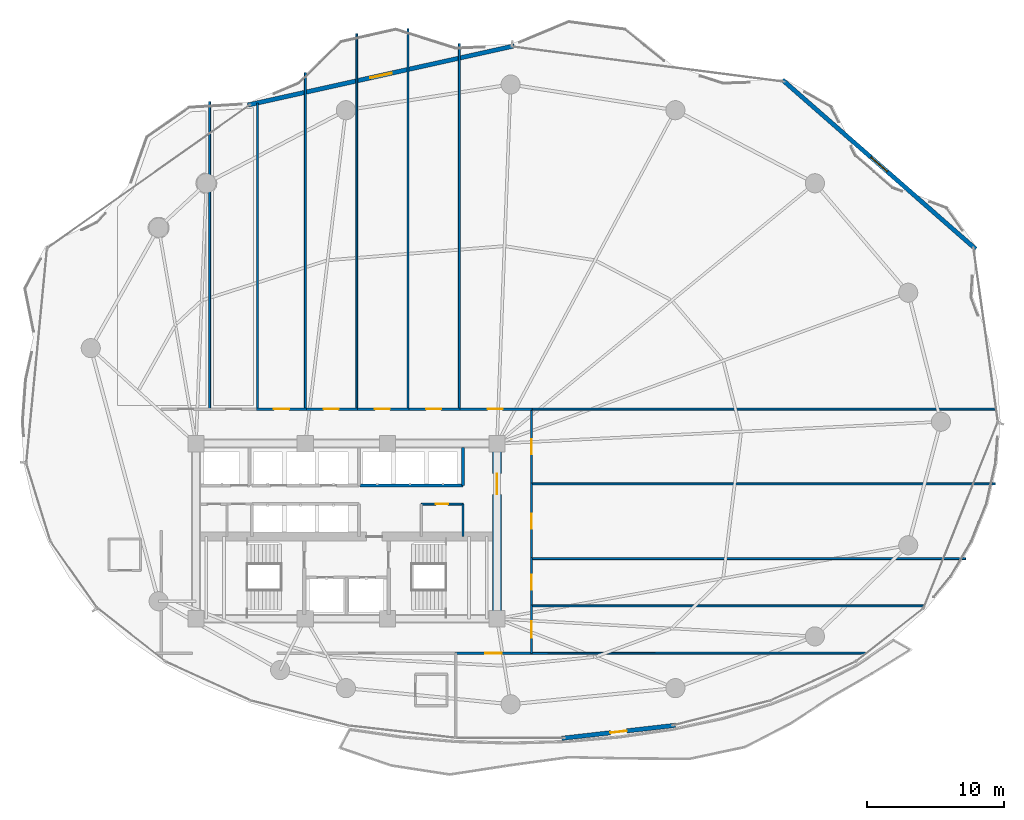
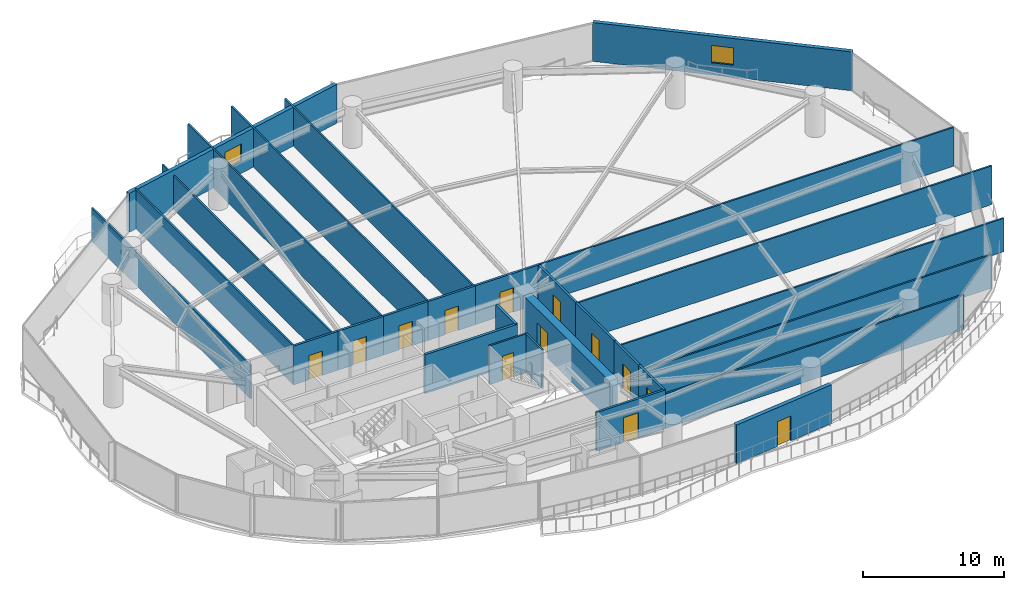
# One storey, part 26 of 31: 29 walls, 13 doors, 2 windows, 15 openings.
"""IFC4 building model written with IfcOpenShell, lengths in metres."""

from ifc_helpers import new_model, si_unit, direction, frame, frame_2d, origin, place, context, subcontext, project, spatial, rectangle, extrude, material, layer, layer_set, type_object, element, fill, save


model = new_model("IFC4")

# Units and contexts
model_context = context("Model", 3, precision=1e-05, world=origin(), true_north=direction((0.0, 1.0)))
body_context = subcontext(model_context, "Body", "Model", "MODEL_VIEW")
ifc_project = project(units=[si_unit("LENGTHUNIT", "METRE"), si_unit("AREAUNIT", "SQUARE_METRE"), si_unit("VOLUMEUNIT", "CUBIC_METRE"), si_unit("PLANEANGLEUNIT", "RADIAN"), si_unit("MASSUNIT", "GRAM", prefix="KILO")], contexts=[model_context])

# Site, building, storey
site_placement = place(None, origin())
site = spatial("IfcSite", under=ifc_project, at=site_placement, CompositionType="ELEMENT")
building_placement = place(site_placement, origin())
building = spatial("IfcBuilding", under=site, at=building_placement, Name="Kazevale Care Tower and Concert Hall", CompositionType="ELEMENT")
storey_placement = place(building_placement, frame((0.0, 0.0, 60.0)))
storey = spatial("IfcBuildingStorey", under=building, at=storey_placement, Name="L15", CompositionType="ELEMENT", Elevation=60.0)

# Wall
ifc_material_1 = material(Name="Acoustic Gypsum on Steel Stud", Category="steel")
ifc_layer_1 = layer(ifc_material_1, 0.139892578125)
ifc_layer_set_1 = layer_set([ifc_layer_1], Name="Acoustic Gypsum on Steel Stud")
wall_type_1 = type_object("IfcWallType", Name="Acoustic Care & Suite Partition 140", PredefinedType="PARTITIONING", material=ifc_layer_set_1)
wall_1_placement = place(storey_placement, frame((41.52001953125, 29.6201171875, 0.0), z_axis=(0.0, 0.0, 1.0), x_axis=(0.0, 1.0, 0.0)))
element("IfcWall", 1, at=wall_1_placement, inside=storey, type_object=wall_type_1, Name="wall:L15:kb_ee", PredefinedType="PARTITIONING", context=body_context, shape_type="SweptSolid", body=[
    extrude(rectangle(XDim=2.35986328125, YDim=0.139892578125, at=frame_2d((1.179931640625, 0.0))), origin(), (0.0, 0.0, 1.0), 3.360107421875),
])

# Wall, opening, door
wall_2_placement = place(storey_placement, frame((38.47998046875, 31.97998046875, 0.0), z_axis=(0.0, 0.0, 1.0), x_axis=(1.0, 0.0, 0.0)))
wall_2 = element("IfcWall", 2, at=wall_2_placement, inside=storey, type_object=wall_type_1, Name="wall:L15:kb_en", PredefinedType="PARTITIONING", context=body_context, shape_type="SweptSolid", body=[
    extrude(rectangle(XDim=3.0400390625, YDim=0.139892578125, at=frame_2d((1.52001953125, 0.0))), origin(), (0.0, 0.0, 1.0), 3.360107421875),
])
opening_1_placement = place(wall_2_placement, frame((1.044921875, 0.0, 0.0)))
opening_1 = element("IfcOpeningElement", 3, at=opening_1_placement, cuts=wall_2, Name="Opening ID-900", PredefinedType="OPENING", context=body_context, shape_type="SweptSolid", body=[
    extrude(rectangle(XDim=0.919921875, YDim=2.10009765625, at=frame_2d((0.4599609375, 1.050048828125))), frame((0.0, 0.079833984375, 0.0), z_axis=(0.0, -1.0, 0.0), x_axis=(1.0, 0.0, 0.0)), (0.0, 0.0, 1.0), 0.159912109375),
])
ifc_material_2 = material(Name="Oak Timber Fire Leaf", Category="wood")
door_type_1 = type_object("IfcDoorType", Name="Bathroom & Service Door 920x2100", OperationType="NOTDEFINED", PredefinedType="DOOR", material=ifc_material_2)
door_1_placement = place(opening_1_placement, origin())
door_1 = element("IfcDoor", 4, at=door_1_placement, inside=storey, type_object=door_type_1, Name="door:L15:d_kbe", OperationType="SINGLE_SWING_LEFT", OverallHeight=2.10009765625, OverallWidth=0.919921875, PredefinedType="DOOR", context=body_context, shape_type="SweptSolid", body=[
    extrude(rectangle(XDim=0.919921875, YDim=2.10009765625, at=frame_2d((0.4599609375, 1.050048828125))), frame((0.0, 0.02490234375, 0.0), z_axis=(0.0, -1.0, 0.0), x_axis=(1.0, 0.0, 0.0)), (0.0, 0.0, 1.0), 0.050048828125),
])
fill(opening_1, door_1)

# Walls
wall_3_placement = place(storey_placement, frame((23.0, 61.39404296875, 0.0), z_axis=(0.0, 0.0, 1.0), x_axis=(0.0, -1.0, 0.0)))
element("IfcWall", 5, at=wall_3_placement, inside=storey, type_object=wall_type_1, Name="wall:L15:auto_016", PredefinedType="PARTITIONING", context=body_context, shape_type="SweptSolid", body=[
    extrude(rectangle(XDim=22.4990234375, YDim=0.139892578125, at=frame_2d((11.24951171875, 0.0))), origin(), (0.0, 0.0, 1.0), 2.889892578125),
])
wall_4_placement = place(storey_placement, frame((26.5, 61.2939453125, 0.0), z_axis=(0.0, 0.0, 1.0), x_axis=(0.0, -1.0, 0.0)))
element("IfcWall", 6, at=wall_4_placement, inside=storey, type_object=wall_type_1, Name="wall:L15:auto_017", PredefinedType="PARTITIONING", context=body_context, shape_type="SweptSolid", body=[
    extrude(rectangle(XDim=22.39892578125, YDim=0.139892578125, at=frame_2d((11.199462890625, 0.0))), origin(), (0.0, 0.0, 1.0), 3.360107421875),
])
wall_5_placement = place(storey_placement, frame((30.0, 63.52001953125, 0.0), z_axis=(0.0, 0.0, 1.0), x_axis=(0.0, -1.0, 0.0)))
element("IfcWall", 7, at=wall_5_placement, inside=storey, type_object=wall_type_1, Name="wall:L15:auto_018", PredefinedType="PARTITIONING", context=body_context, shape_type="SweptSolid", body=[
    extrude(rectangle(XDim=24.625, YDim=0.139892578125, at=frame_2d((12.3125, 0.0))), origin(), (0.0, 0.0, 1.0), 2.889892578125),
])
wall_6_placement = place(storey_placement, frame((33.75, 66.362060546875, 0.0), z_axis=(0.0, 0.0, 1.0), x_axis=(0.0, -1.0, 0.0)))
element("IfcWall", 8, at=wall_6_placement, inside=storey, type_object=wall_type_1, Name="wall:L15:auto_019", PredefinedType="PARTITIONING", context=body_context, shape_type="SweptSolid", body=[
    extrude(rectangle(XDim=27.467041015625, YDim=0.139892578125, at=frame_2d((13.7333984375, 0.0))), origin(), (0.0, 0.0, 1.0), 3.360107421875),
])
wall_7_placement = place(storey_placement, frame((37.5, 66.717041015625, 0.0), z_axis=(0.0, 0.0, 1.0), x_axis=(0.0, -1.0, 0.0)))
element("IfcWall", 9, at=wall_7_placement, inside=storey, type_object=wall_type_1, Name="wall:L15:auto_020", PredefinedType="PARTITIONING", context=body_context, shape_type="SweptSolid", body=[
    extrude(rectangle(XDim=27.822021484375, YDim=0.139892578125, at=frame_2d((13.9111328125, 0.0))), origin(), (0.0, 0.0, 1.0), 3.360107421875),
])
wall_8_placement = place(storey_placement, frame((41.25, 65.637939453125, 0.0), z_axis=(0.0, 0.0, 1.0), x_axis=(0.0, -1.0, 0.0)))
element("IfcWall", 10, at=wall_8_placement, inside=storey, type_object=wall_type_1, Name="wall:L15:auto_021", PredefinedType="PARTITIONING", context=body_context, shape_type="SweptSolid", body=[
    extrude(rectangle(XDim=26.742919921875, YDim=0.139892578125, at=frame_2d((13.37158203125, 0.0))), origin(), (0.0, 0.0, 1.0), 3.360107421875),
])
wall_9_placement = place(storey_placement, frame((80.480224609375, 38.925048828125, 0.0), z_axis=(0.0, 0.0, 1.0), x_axis=(-1.0, 0.0, 0.0)))
element("IfcWall", 11, at=wall_9_placement, inside=storey, type_object=wall_type_1, Name="wall:L15:auto_022", PredefinedType="PARTITIONING", context=body_context, shape_type="SweptSolid", body=[
    extrude(rectangle(XDim=34.020263671875, YDim=0.139892578125, at=frame_2d((17.01025390625, 0.0))), origin(), (0.0, 0.0, 1.0), 3.360107421875),
])
wall_10_placement = place(storey_placement, frame((46.4951171875, 24.5400390625, 0.0), z_axis=(0.0, 0.0, 1.0), x_axis=(1.0, 0.0, 0.0)))
element("IfcWall", 12, at=wall_10_placement, inside=storey, type_object=wall_type_1, Name="wall:L15:auto_023", PredefinedType="PARTITIONING", context=body_context, shape_type="SweptSolid", body=[
    extrude(rectangle(XDim=28.7470703125, YDim=0.139892578125, at=frame_2d((14.37353515625, 0.0))), origin(), (0.0, 0.0, 1.0), 2.889892578125),
])
wall_11_placement = place(storey_placement, frame((71.0107421875, 21.094482421875, 0.0), z_axis=(0.0, 0.0, 1.0), x_axis=(-0.999999682646, -0.000796685534, 0.0)))
element("IfcWall", 13, at=wall_11_placement, inside=storey, type_object=wall_type_1, Name="wall:L15:auto_024", PredefinedType="PARTITIONING", context=body_context, shape_type="SweptSolid", body=[
    extrude(rectangle(XDim=24.515625, YDim=0.139892578125, at=frame_2d((12.2578125, 0.0))), origin(), (0.0, 0.0, 1.0), 2.99609375),
])
wall_12_placement = place(storey_placement, frame((46.4951171875, 28.0, 0.0), z_axis=(0.0, 0.0, 1.0), x_axis=(1.0, 0.0, 0.0)))
element("IfcWall", 14, at=wall_12_placement, inside=storey, type_object=wall_type_1, Name="wall:L15:auto_025", PredefinedType="PARTITIONING", context=body_context, shape_type="SweptSolid", body=[
    extrude(rectangle(XDim=31.766845703125, YDim=0.139892578125, at=frame_2d((15.88330078125, 0.0))), origin(), (0.0, 0.0, 1.0), 2.889892578125),
])
wall_13_placement = place(storey_placement, frame((46.4951171875, 33.4599609375, 0.0), z_axis=(0.0, 0.0, 1.0), x_axis=(1.0, 0.0, 0.0)))
element("IfcWall", 15, at=wall_13_placement, inside=storey, type_object=wall_type_1, Name="wall:L15:auto_026", PredefinedType="PARTITIONING", context=body_context, shape_type="SweptSolid", body=[
    extrude(rectangle(XDim=33.94091796875, YDim=0.139892578125, at=frame_2d((16.970458984375, 0.0))), origin(), (0.0, 0.0, 1.0), 3.360107421875),
])

# Wall, opening, door
ifc_material_3 = material(Name="Concrete C70", Category="concrete")
ifc_layer_2 = layer(ifc_material_3, 0.64990234375)
ifc_layer_set_2 = layer_set([ifc_layer_2], Name="Concrete C70")
wall_type_2 = type_object("IfcWallType", Name="Core Shear Wall 650 C70", PredefinedType="SHEAR", material=ifc_layer_set_2)
wall_14_placement = place(storey_placement, frame((44.0, 23.925048828125, 0.0), z_axis=(0.0, 0.0, 1.0), x_axis=(0.0, 1.0, 0.0)))
wall_14 = element("IfcWall", 16, at=wall_14_placement, inside=storey, type_object=wall_type_2, Name="wall:L15:core:E", PredefinedType="SHEAR", context=body_context, shape_type="SweptSolid", body=[
    extrude(rectangle(XDim=12.14990234375, YDim=0.64990234375, at=frame_2d((6.074951171875, 0.0))), origin(), (0.0, 0.0, 1.0), 3.360107421875),
])
opening_2_placement = place(wall_14_placement, frame((8.77490234375, 0.0, 0.0)))
opening_2 = element("IfcOpeningElement", 17, at=opening_2_placement, cuts=wall_14, Name="Opening FD-60D", PredefinedType="OPENING", context=body_context, shape_type="SweptSolid", body=[
    extrude(rectangle(XDim=1.5, YDim=2.14990234375, at=frame_2d((0.75, 1.074951171875))), frame((0.0, 0.3349609375, 0.0), z_axis=(0.0, -1.0, 0.0), x_axis=(1.0, 0.0, 0.0)), (0.0, 0.0, 1.0), 0.669921875),
])
door_type_2 = type_object("IfcDoorType", Name="Double Lobby & Auditorium Fire Door 1500x2150", OperationType="NOTDEFINED", PredefinedType="DOOR", material=ifc_material_2)
door_2_placement = place(opening_2_placement, origin())
door_2 = element("IfcDoor", 18, at=door_2_placement, inside=storey, type_object=door_type_2, Name="door:L15:core_east_out", OperationType="DOUBLE_DOOR_SINGLE_SWING", OverallHeight=2.14990234375, OverallWidth=1.5, PredefinedType="DOOR", context=body_context, shape_type="SweptSolid", body=[
    extrude(rectangle(XDim=1.5, YDim=2.14990234375, at=frame_2d((0.75, 1.074951171875))), frame((0.0, 0.02490234375, 0.0), z_axis=(0.0, -1.0, 0.0), x_axis=(1.0, 0.0, 0.0)), (0.0, 0.0, 1.0), 0.050048828125),
])
fill(opening_2, door_2)

# Walls
ifc_material_4 = material(Name="Concrete C40", Category="concrete")
ifc_layer_3 = layer(ifc_material_4, 0.219970703125)
ifc_layer_set_3 = layer_set([ifc_layer_3], Name="Concrete C40")
wall_type_3 = type_object("IfcWallType", Name="Elevator Hoistway Shaft Wall 220", PredefinedType="SOLIDWALL", material=ifc_layer_set_3)
wall_15_placement = place(storey_placement, frame((33.97998046875, 33.35009765625, 0.0), z_axis=(0.0, 0.0, 1.0), x_axis=(1.0, 0.0, 0.0)))
element("IfcWall", 19, at=wall_15_placement, inside=storey, type_object=wall_type_3, Name="wall:L15:c_pm_s", PredefinedType="SOLIDWALL", context=body_context, shape_type="SweptSolid", body=[
    extrude(rectangle(XDim=7.5400390625, YDim=0.219970703125, at=frame_2d((3.77001953125, 0.0))), origin(), (0.0, 0.0, 1.0), 3.360107421875),
])
wall_16_placement = place(storey_placement, frame((41.5, 33.35009765625, 0.0), z_axis=(0.0, 0.0, 1.0), x_axis=(0.0, 1.0, 0.0)))
element("IfcWall", 20, at=wall_16_placement, inside=storey, type_object=wall_type_3, Name="wall:L15:c_pm_e", PredefinedType="SOLIDWALL", context=body_context, shape_type="SweptSolid", body=[
    extrude(rectangle(XDim=2.75, YDim=0.219970703125, at=frame_2d((1.375, 0.0))), origin(), (0.0, 0.0, 1.0), 3.360107421875),
])

# Wall, opening, door
ifc_material_5 = material(Name="Concrete C40 and Acoustic Gypsum", Category="concrete")
ifc_layer_4 = layer(ifc_material_5, 0.179931640625)
ifc_layer_set_4 = layer_set([ifc_layer_4], Name="Concrete C40 and Acoustic Gypsum")
wall_type_4 = type_object("IfcWallType", Name="Fire-Rated Corridor & Party Wall 180", PredefinedType="PARTITIONING", material=ifc_layer_set_4)
wall_17_placement = place(storey_placement, frame((26.43505859375, 38.925048828125, 0.0), z_axis=(0.0, 0.0, 1.0), x_axis=(1.0, 0.0, 0.0)))
wall_17 = element("IfcWall", 21, at=wall_17_placement, inside=storey, type_object=wall_type_4, Name="wall:L15:auto_003", PredefinedType="PARTITIONING", context=body_context, shape_type="SweptSolid", body=[
    extrude(rectangle(XDim=3.6298828125, YDim=0.179931640625, at=frame_2d((1.81494140625, 0.0))), origin(), (0.0, 0.0, 1.0), 3.360107421875),
])
opening_3_placement = place(wall_17_placement, frame((1.264892578125, 0.0, 0.0)))
opening_3 = element("IfcOpeningElement", 22, at=opening_3_placement, cuts=wall_17, Name="Opening ID-1100", PredefinedType="OPENING", context=body_context, shape_type="SweptSolid", body=[
    extrude(rectangle(XDim=1.10009765625, YDim=2.10009765625, at=frame_2d((0.550048828125, 1.050048828125))), frame((0.0, 0.099853515625, 0.0), z_axis=(0.0, -1.0, 0.0), x_axis=(1.0, 0.0, 0.0)), (0.0, 0.0, 1.0), 0.199951171875),
])
door_type_3 = type_object("IfcDoorType", Name="Care Bedroom Accessible Door 1100x2100", OperationType="NOTDEFINED", PredefinedType="DOOR", material=ifc_material_2)
door_3_placement = place(opening_3_placement, origin())
door_3 = element("IfcDoor", 23, at=door_3_placement, inside=storey, type_object=door_type_3, Name="door:L15:ad_003", OperationType="SINGLE_SWING_LEFT", OverallHeight=2.10009765625, OverallWidth=1.10009765625, PredefinedType="DOOR", context=body_context, shape_type="SweptSolid", body=[
    extrude(rectangle(XDim=1.10009765625, YDim=2.10009765625, at=frame_2d((0.550048828125, 1.050048828125))), frame((0.0, 0.02490234375, 0.0), z_axis=(0.0, -1.0, 0.0), x_axis=(1.0, 0.0, 0.0)), (0.0, 0.0, 1.0), 0.050048828125),
])
fill(opening_3, door_3)

wall_18_placement = place(storey_placement, frame((29.93505859375, 38.925048828125, 0.0), z_axis=(0.0, 0.0, 1.0), x_axis=(1.0, 0.0, 0.0)))
wall_18 = element("IfcWall", 24, at=wall_18_placement, inside=storey, type_object=wall_type_4, Name="wall:L15:auto_004", PredefinedType="PARTITIONING", context=body_context, shape_type="SweptSolid", body=[
    extrude(rectangle(XDim=3.8798828125, YDim=0.179931640625, at=frame_2d((1.93994140625, 0.0))), origin(), (0.0, 0.0, 1.0), 3.360107421875),
])
opening_4_placement = place(wall_18_placement, frame((1.389892578125, 0.0, 0.0)))
opening_4 = element("IfcOpeningElement", 25, at=opening_4_placement, cuts=wall_18, Name="Opening ID-1100", PredefinedType="OPENING", context=body_context, shape_type="SweptSolid", body=[
    extrude(rectangle(XDim=1.10009765625, YDim=2.10009765625, at=frame_2d((0.550048828125, 1.050048828125))), frame((0.0, 0.099853515625, 0.0), z_axis=(0.0, -1.0, 0.0), x_axis=(1.0, 0.0, 0.0)), (0.0, 0.0, 1.0), 0.199951171875),
])
door_4_placement = place(opening_4_placement, origin())
door_4 = element("IfcDoor", 26, at=door_4_placement, inside=storey, type_object=door_type_3, Name="door:L15:ad_004", OperationType="SINGLE_SWING_LEFT", OverallHeight=2.10009765625, OverallWidth=1.10009765625, PredefinedType="DOOR", context=body_context, shape_type="SweptSolid", body=[
    extrude(rectangle(XDim=1.10009765625, YDim=2.10009765625, at=frame_2d((0.550048828125, 1.050048828125))), frame((0.0, 0.02490234375, 0.0), z_axis=(0.0, -1.0, 0.0), x_axis=(1.0, 0.0, 0.0)), (0.0, 0.0, 1.0), 0.050048828125),
])
fill(opening_4, door_4)

wall_19_placement = place(storey_placement, frame((33.68505859375, 38.925048828125, 0.0), z_axis=(0.0, 0.0, 1.0), x_axis=(1.0, 0.0, 0.0)))
wall_19 = element("IfcWall", 27, at=wall_19_placement, inside=storey, type_object=wall_type_4, Name="wall:L15:auto_005", PredefinedType="PARTITIONING", context=body_context, shape_type="SweptSolid", body=[
    extrude(rectangle(XDim=3.8798828125, YDim=0.179931640625, at=frame_2d((1.93994140625, 0.0))), origin(), (0.0, 0.0, 1.0), 3.360107421875),
])
opening_5_placement = place(wall_19_placement, frame((1.389892578125, 0.0, 0.0)))
opening_5 = element("IfcOpeningElement", 28, at=opening_5_placement, cuts=wall_19, Name="Opening ID-1100", PredefinedType="OPENING", context=body_context, shape_type="SweptSolid", body=[
    extrude(rectangle(XDim=1.10009765625, YDim=2.10009765625, at=frame_2d((0.550048828125, 1.050048828125))), frame((0.0, 0.099853515625, 0.0), z_axis=(0.0, -1.0, 0.0), x_axis=(1.0, 0.0, 0.0)), (0.0, 0.0, 1.0), 0.199951171875),
])
door_5_placement = place(opening_5_placement, origin())
door_5 = element("IfcDoor", 29, at=door_5_placement, inside=storey, type_object=door_type_3, Name="door:L15:ad_005", OperationType="SINGLE_SWING_LEFT", OverallHeight=2.10009765625, OverallWidth=1.10009765625, PredefinedType="DOOR", context=body_context, shape_type="SweptSolid", body=[
    extrude(rectangle(XDim=1.10009765625, YDim=2.10009765625, at=frame_2d((0.550048828125, 1.050048828125))), frame((0.0, 0.02490234375, 0.0), z_axis=(0.0, -1.0, 0.0), x_axis=(1.0, 0.0, 0.0)), (0.0, 0.0, 1.0), 0.050048828125),
])
fill(opening_5, door_5)

wall_20_placement = place(storey_placement, frame((37.43505859375, 38.925048828125, 0.0), z_axis=(0.0, 0.0, 1.0), x_axis=(1.0, 0.0, 0.0)))
wall_20 = element("IfcWall", 30, at=wall_20_placement, inside=storey, type_object=wall_type_4, Name="wall:L15:auto_006", PredefinedType="PARTITIONING", context=body_context, shape_type="SweptSolid", body=[
    extrude(rectangle(XDim=3.8798828125, YDim=0.179931640625, at=frame_2d((1.93994140625, 0.0))), origin(), (0.0, 0.0, 1.0), 3.360107421875),
])
opening_6_placement = place(wall_20_placement, frame((1.389892578125, 0.0, 0.0)))
opening_6 = element("IfcOpeningElement", 31, at=opening_6_placement, cuts=wall_20, Name="Opening ID-1100", PredefinedType="OPENING", context=body_context, shape_type="SweptSolid", body=[
    extrude(rectangle(XDim=1.10009765625, YDim=2.10009765625, at=frame_2d((0.550048828125, 1.050048828125))), frame((0.0, 0.099853515625, 0.0), z_axis=(0.0, -1.0, 0.0), x_axis=(1.0, 0.0, 0.0)), (0.0, 0.0, 1.0), 0.199951171875),
])
door_6_placement = place(opening_6_placement, origin())
door_6 = element("IfcDoor", 32, at=door_6_placement, inside=storey, type_object=door_type_3, Name="door:L15:ad_006", OperationType="SINGLE_SWING_LEFT", OverallHeight=2.10009765625, OverallWidth=1.10009765625, PredefinedType="DOOR", context=body_context, shape_type="SweptSolid", body=[
    extrude(rectangle(XDim=1.10009765625, YDim=2.10009765625, at=frame_2d((0.550048828125, 1.050048828125))), frame((0.0, 0.02490234375, 0.0), z_axis=(0.0, -1.0, 0.0), x_axis=(1.0, 0.0, 0.0)), (0.0, 0.0, 1.0), 0.050048828125),
])
fill(opening_6, door_6)

wall_21_placement = place(storey_placement, frame((41.18505859375, 38.925048828125, 0.0), z_axis=(0.0, 0.0, 1.0), x_axis=(1.0, 0.0, 0.0)))
wall_21 = element("IfcWall", 33, at=wall_21_placement, inside=storey, type_object=wall_type_4, Name="wall:L15:auto_007", PredefinedType="PARTITIONING", context=body_context, shape_type="SweptSolid", body=[
    extrude(rectangle(XDim=5.369873046875, YDim=0.179931640625, at=frame_2d((2.68505859375, 0.0))), origin(), (0.0, 0.0, 1.0), 3.360107421875),
])
opening_7_placement = place(wall_21_placement, frame((2.135009765625, 0.0, 0.0)))
opening_7 = element("IfcOpeningElement", 34, at=opening_7_placement, cuts=wall_21, Name="Opening ID-1100", PredefinedType="OPENING", context=body_context, shape_type="SweptSolid", body=[
    extrude(rectangle(XDim=1.10009765625, YDim=2.10009765625, at=frame_2d((0.550048828125, 1.050048828125))), frame((0.0, 0.099853515625, 0.0), z_axis=(0.0, -1.0, 0.0), x_axis=(1.0, 0.0, 0.0)), (0.0, 0.0, 1.0), 0.199951171875),
])
door_7_placement = place(opening_7_placement, origin())
door_7 = element("IfcDoor", 35, at=door_7_placement, inside=storey, type_object=door_type_3, Name="door:L15:ad_007", OperationType="SINGLE_SWING_LEFT", OverallHeight=2.10009765625, OverallWidth=1.10009765625, PredefinedType="DOOR", context=body_context, shape_type="SweptSolid", body=[
    extrude(rectangle(XDim=1.10009765625, YDim=2.10009765625, at=frame_2d((0.550048828125, 1.050048828125))), frame((0.0, 0.02490234375, 0.0), z_axis=(0.0, -1.0, 0.0), x_axis=(1.0, 0.0, 0.0)), (0.0, 0.0, 1.0), 0.050048828125),
])
fill(opening_7, door_7)

wall_22_placement = place(storey_placement, frame((46.52490234375, 24.60498046875, 0.0), z_axis=(0.0, 0.0, 1.0), x_axis=(0.0, -1.0, 0.0)))
wall_22 = element("IfcWall", 36, at=wall_22_placement, inside=storey, type_object=wall_type_4, Name="wall:L15:auto_008", PredefinedType="PARTITIONING", context=body_context, shape_type="SweptSolid", body=[
    extrude(rectangle(XDim=3.56005859375, YDim=0.179931640625, at=frame_2d((1.780029296875, 0.0))), origin(), (0.0, 0.0, 1.0), 3.360107421875),
])
opening_8_placement = place(wall_22_placement, frame((1.179931640625, 0.0, 0.0)))
opening_8 = element("IfcOpeningElement", 37, at=opening_8_placement, cuts=wall_22, Name="Opening ID-1200", PredefinedType="OPENING", context=body_context, shape_type="SweptSolid", body=[
    extrude(rectangle(XDim=1.199951171875, YDim=2.14990234375, at=frame_2d((0.60009765625, 1.074951171875))), frame((0.0, 0.099853515625, 0.0), z_axis=(0.0, -1.0, 0.0), x_axis=(1.0, 0.0, 0.0)), (0.0, 0.0, 1.0), 0.199951171875),
])
door_type_4 = type_object("IfcDoorType", Name="Clinical & Therapy Door 1200x2150", OperationType="NOTDEFINED", PredefinedType="DOOR", material=ifc_material_2)
door_8_placement = place(opening_8_placement, origin())
door_8 = element("IfcDoor", 38, at=door_8_placement, inside=storey, type_object=door_type_4, Name="door:L15:ad_008", OperationType="SINGLE_SWING_LEFT", OverallHeight=2.14990234375, OverallWidth=1.199951171875, PredefinedType="DOOR", context=body_context, shape_type="SweptSolid", body=[
    extrude(rectangle(XDim=1.199951171875, YDim=2.14990234375, at=frame_2d((0.60009765625, 1.074951171875))), frame((0.0, 0.02490234375, 0.0), z_axis=(0.0, -1.0, 0.0), x_axis=(1.0, 0.0, 0.0)), (0.0, 0.0, 1.0), 0.050048828125),
])
fill(opening_8, door_8)

wall_23_placement = place(storey_placement, frame((46.52490234375, 28.06494140625, 0.0), z_axis=(0.0, 0.0, 1.0), x_axis=(0.0, -1.0, 0.0)))
wall_23 = element("IfcWall", 39, at=wall_23_placement, inside=storey, type_object=wall_type_4, Name="wall:L15:auto_009", PredefinedType="PARTITIONING", context=body_context, shape_type="SweptSolid", body=[
    extrude(rectangle(XDim=3.58984375, YDim=0.179931640625, at=frame_2d((1.794921875, 0.0))), origin(), (0.0, 0.0, 1.0), 3.360107421875),
])
opening_9_placement = place(wall_23_placement, frame((1.2451171875, 0.0, 0.0)))
opening_9 = element("IfcOpeningElement", 40, at=opening_9_placement, cuts=wall_23, Name="Opening ID-1100", PredefinedType="OPENING", context=body_context, shape_type="SweptSolid", body=[
    extrude(rectangle(XDim=1.10009765625, YDim=2.10009765625, at=frame_2d((0.550048828125, 1.050048828125))), frame((0.0, 0.099853515625, 0.0), z_axis=(0.0, -1.0, 0.0), x_axis=(1.0, 0.0, 0.0)), (0.0, 0.0, 1.0), 0.199951171875),
])
door_9_placement = place(opening_9_placement, origin())
door_9 = element("IfcDoor", 41, at=door_9_placement, inside=storey, type_object=door_type_3, Name="door:L15:ad_009", OperationType="SINGLE_SWING_LEFT", OverallHeight=2.10009765625, OverallWidth=1.10009765625, PredefinedType="DOOR", context=body_context, shape_type="SweptSolid", body=[
    extrude(rectangle(XDim=1.10009765625, YDim=2.10009765625, at=frame_2d((0.550048828125, 1.050048828125))), frame((0.0, 0.02490234375, 0.0), z_axis=(0.0, -1.0, 0.0), x_axis=(1.0, 0.0, 0.0)), (0.0, 0.0, 1.0), 0.050048828125),
])
fill(opening_9, door_9)

wall_24_placement = place(storey_placement, frame((46.52490234375, 33.52490234375, 0.0), z_axis=(0.0, 0.0, 1.0), x_axis=(0.0, -1.0, 0.0)))
wall_24 = element("IfcWall", 42, at=wall_24_placement, inside=storey, type_object=wall_type_4, Name="wall:L15:auto_010", PredefinedType="PARTITIONING", context=body_context, shape_type="SweptSolid", body=[
    extrude(rectangle(XDim=5.58984375, YDim=0.179931640625, at=frame_2d((2.794921875, 0.0))), origin(), (0.0, 0.0, 1.0), 3.360107421875),
])
opening_10_placement = place(wall_24_placement, frame((2.2451171875, 0.0, 0.0)))
opening_10 = element("IfcOpeningElement", 43, at=opening_10_placement, cuts=wall_24, Name="Opening ID-1100", PredefinedType="OPENING", context=body_context, shape_type="SweptSolid", body=[
    extrude(rectangle(XDim=1.10009765625, YDim=2.10009765625, at=frame_2d((0.550048828125, 1.050048828125))), frame((0.0, 0.099853515625, 0.0), z_axis=(0.0, -1.0, 0.0), x_axis=(1.0, 0.0, 0.0)), (0.0, 0.0, 1.0), 0.199951171875),
])
door_10_placement = place(opening_10_placement, origin())
door_10 = element("IfcDoor", 44, at=door_10_placement, inside=storey, type_object=door_type_3, Name="door:L15:ad_010", OperationType="SINGLE_SWING_LEFT", OverallHeight=2.10009765625, OverallWidth=1.10009765625, PredefinedType="DOOR", context=body_context, shape_type="SweptSolid", body=[
    extrude(rectangle(XDim=1.10009765625, YDim=2.10009765625, at=frame_2d((0.550048828125, 1.050048828125))), frame((0.0, 0.02490234375, 0.0), z_axis=(0.0, -1.0, 0.0), x_axis=(1.0, 0.0, 0.0)), (0.0, 0.0, 1.0), 0.050048828125),
])
fill(opening_10, door_10)

wall_25_placement = place(storey_placement, frame((46.52490234375, 38.955078125, 0.0), z_axis=(0.0, 0.0, 1.0), x_axis=(0.0, -1.0, 0.0)))
wall_25 = element("IfcWall", 45, at=wall_25_placement, inside=storey, type_object=wall_type_4, Name="wall:L15:auto_011", PredefinedType="PARTITIONING", context=body_context, shape_type="SweptSolid", body=[
    extrude(rectangle(XDim=5.56005859375, YDim=0.179931640625, at=frame_2d((2.780029296875, 0.0))), origin(), (0.0, 0.0, 1.0), 3.360107421875),
])
opening_11_placement = place(wall_25_placement, frame((2.22998046875, 0.0, 0.0)))
opening_11 = element("IfcOpeningElement", 46, at=opening_11_placement, cuts=wall_25, Name="Opening ID-1100", PredefinedType="OPENING", context=body_context, shape_type="SweptSolid", body=[
    extrude(rectangle(XDim=1.10009765625, YDim=2.10009765625, at=frame_2d((0.550048828125, 1.050048828125))), frame((0.0, 0.099853515625, 0.0), z_axis=(0.0, -1.0, 0.0), x_axis=(1.0, 0.0, 0.0)), (0.0, 0.0, 1.0), 0.199951171875),
])
door_11_placement = place(opening_11_placement, origin())
door_11 = element("IfcDoor", 47, at=door_11_placement, inside=storey, type_object=door_type_3, Name="door:L15:ad_011", OperationType="SINGLE_SWING_LEFT", OverallHeight=2.10009765625, OverallWidth=1.10009765625, PredefinedType="DOOR", context=body_context, shape_type="SweptSolid", body=[
    extrude(rectangle(XDim=1.10009765625, YDim=2.10009765625, at=frame_2d((0.550048828125, 1.050048828125))), frame((0.0, 0.02490234375, 0.0), z_axis=(0.0, -1.0, 0.0), x_axis=(1.0, 0.0, 0.0)), (0.0, 0.0, 1.0), 0.050048828125),
])
fill(opening_11, door_11)

wall_26_placement = place(storey_placement, frame((46.554931640625, 21.074951171875, 0.0), z_axis=(0.0, 0.0, 1.0), x_axis=(-1.0, 0.0, 0.0)))
wall_26 = element("IfcWall", 48, at=wall_26_placement, inside=storey, type_object=wall_type_4, Name="wall:L15:auto_013", PredefinedType="PARTITIONING", context=body_context, shape_type="SweptSolid", body=[
    extrude(rectangle(XDim=5.619873046875, YDim=0.179931640625, at=frame_2d((2.81005859375, 0.0))), origin(), (0.0, 0.0, 1.0), 3.360107421875),
])
opening_12_placement = place(wall_26_placement, frame((2.2099609375, 0.0, 0.0)))
opening_12 = element("IfcOpeningElement", 49, at=opening_12_placement, cuts=wall_26, Name="Opening ID-1200", PredefinedType="OPENING", context=body_context, shape_type="SweptSolid", body=[
    extrude(rectangle(XDim=1.199951171875, YDim=2.14990234375, at=frame_2d((0.60009765625, 1.074951171875))), frame((0.0, 0.099853515625, 0.0), z_axis=(0.0, -1.0, 0.0), x_axis=(1.0, 0.0, 0.0)), (0.0, 0.0, 1.0), 0.199951171875),
])
door_12_placement = place(opening_12_placement, origin())
door_12 = element("IfcDoor", 50, at=door_12_placement, inside=storey, type_object=door_type_4, Name="door:L15:ad_013", OperationType="SINGLE_SWING_LEFT", OverallHeight=2.14990234375, OverallWidth=1.199951171875, PredefinedType="DOOR", context=body_context, shape_type="SweptSolid", body=[
    extrude(rectangle(XDim=1.199951171875, YDim=2.14990234375, at=frame_2d((0.60009765625, 1.074951171875))), frame((0.0, 0.02490234375, 0.0), z_axis=(0.0, -1.0, 0.0), x_axis=(1.0, 0.0, 0.0)), (0.0, 0.0, 1.0), 0.050048828125),
])
fill(opening_12, door_12)

ifc_material_6 = material(Name="Concrete C40 with Honed Limestone Cladding", Category="masonry")
ifc_layer_5 = layer(ifc_material_6, 0.320068359375)
ifc_layer_set_5 = layer_set([ifc_layer_5], Name="Concrete C40 with Honed Limestone Cladding")
wall_type_5 = type_object("IfcWallType", Name="Tower Honed Limestone Spandrel Wall 320", PredefinedType="STANDARD", material=ifc_layer_set_5)
wall_27_placement = place(storey_placement, frame((57.050048828125, 15.81201171875, 0.0), z_axis=(0.0, 0.0, 1.0), x_axis=(-0.993503192468, -0.113804246649, 0.0)))
wall_27 = element("IfcWall", 51, at=wall_27_placement, inside=storey, type_object=wall_type_5, Name="wall:L15:bal_host", PredefinedType="STANDARD", context=body_context, shape_type="SweptSolid", body=[
    extrude(rectangle(XDim=8.364501953125, YDim=0.320068359375, at=frame_2d((4.18212890625, 0.0))), origin(), (0.0, 0.0, 1.0), 3.360107421875),
])
opening_13_placement = place(wall_27_placement, frame((3.58203125, 0.0, 0.0)))
opening_13 = element("IfcOpeningElement", 52, at=opening_13_placement, cuts=wall_27, Name="Opening BD-1200", PredefinedType="OPENING", context=body_context, shape_type="SweptSolid", body=[
    extrude(rectangle(XDim=1.199951171875, YDim=2.14990234375, at=frame_2d((0.60009765625, 1.074951171875))), frame((0.0, 0.169921875, 0.0), z_axis=(0.0, -1.0, 0.0), x_axis=(1.0, 0.0, 0.0)), (0.0, 0.0, 1.0), 0.340087890625),
])
ifc_material_7 = material(Name="Aluminium 6063-T6 and Low-E Glass", Category="aluminium")
door_type_5 = type_object("IfcDoorType", Name="Sheltered Balcony Glazed Door 1200x2150", OperationType="NOTDEFINED", PredefinedType="DOOR", material=ifc_material_7)
door_13_placement = place(opening_13_placement, origin())
door_13 = element("IfcDoor", 53, at=door_13_placement, inside=storey, type_object=door_type_5, Name="door:L15:BD-1", OperationType="SINGLE_SWING_LEFT", OverallHeight=2.14990234375, OverallWidth=1.199951171875, PredefinedType="DOOR", context=body_context, shape_type="SweptSolid", body=[
    extrude(rectangle(XDim=1.199951171875, YDim=2.14990234375, at=frame_2d((0.60009765625, 1.074951171875))), frame((0.0, 0.02490234375, 0.0), z_axis=(0.0, -1.0, 0.0), x_axis=(1.0, 0.0, 0.0)), (0.0, 0.0, 1.0), 0.050048828125),
])
fill(opening_13, door_13)

# Wall, opening, window
wall_28_placement = place(storey_placement, frame((25.780029296875, 61.14404296875, 0.0), z_axis=(0.0, 0.0, 1.0), x_axis=(0.976206349039, 0.216843639742, 0.0)))
wall_28 = element("IfcWall", 54, at=wall_28_placement, inside=storey, type_object=wall_type_5, Name="wall:L15:cbox:15", PredefinedType="STANDARD", context=body_context, shape_type="SweptSolid", body=[
    extrude(rectangle(XDim=19.949462890625, YDim=0.320068359375, at=frame_2d((9.974609375, 0.0))), origin(), (0.0, 0.0, 1.0), 3.360107421875),
])
opening_14_placement = place(wall_28_placement, frame((9.175048828125, 0.0, 1.050048828125)))
opening_14 = element("IfcOpeningElement", 55, at=opening_14_placement, cuts=wall_28, Name="Opening WIN-1", PredefinedType="OPENING", context=body_context, shape_type="SweptSolid", body=[
    extrude(rectangle(XDim=1.60009765625, YDim=1.5, at=frame_2d((0.800048828125, 0.75))), frame((0.0, 0.169921875, 0.0), z_axis=(0.0, -1.0, 0.0), x_axis=(1.0, 0.0, 0.0)), (0.0, 0.0, 1.0), 0.340087890625),
])
ifc_material_8 = material(Name="Low-E Laminated Glass", Category="glass")
window_type = type_object("IfcWindowType", Name="Convex Box Deep-Set Window 1600x1500", PartitioningType="DOUBLE_PANEL_VERTICAL", PredefinedType="WINDOW", material=ifc_material_8)
window_1_placement = place(opening_14_placement, origin())
window_1 = element("IfcWindow", 56, at=window_1_placement, inside=storey, type_object=window_type, Name="win:L15:cbox:15", OverallHeight=1.5, OverallWidth=1.60009765625, PartitioningType="SINGLE_PANEL", PredefinedType="WINDOW", context=body_context, shape_type="SweptSolid", body=[
    extrude(rectangle(XDim=1.60009765625, YDim=1.5, at=frame_2d((0.800048828125, 0.75))), frame((0.0, 0.030029296875, 0.0), z_axis=(0.0, -1.0, 0.0), x_axis=(1.0, 0.0, 0.0)), (0.0, 0.0, 1.0), 0.06005859375),
])
fill(opening_14, window_1)

wall_29_placement = place(storey_placement, frame((64.8740234375, 62.98388671875, 0.0), z_axis=(0.0, 0.0, 1.0), x_axis=(0.752445311183, -0.658654730249, 0.0)))
wall_29 = element("IfcWall", 57, at=wall_29_placement, inside=storey, type_object=wall_type_5, Name="wall:L15:cbox:17", PredefinedType="STANDARD", context=body_context, shape_type="SweptSolid", body=[
    extrude(rectangle(XDim=18.765380859375, YDim=0.320068359375, at=frame_2d((9.3828125, 0.0))), origin(), (0.0, 0.0, 1.0), 3.360107421875),
])
opening_15_placement = place(wall_29_placement, frame((8.58203125, 0.0, 1.050048828125)))
opening_15 = element("IfcOpeningElement", 58, at=opening_15_placement, cuts=wall_29, Name="Opening WIN-1", PredefinedType="OPENING", context=body_context, shape_type="SweptSolid", body=[
    extrude(rectangle(XDim=1.60009765625, YDim=1.5, at=frame_2d((0.800048828125, 0.75))), frame((0.0, 0.169921875, 0.0), z_axis=(0.0, -1.0, 0.0), x_axis=(1.0, 0.0, 0.0)), (0.0, 0.0, 1.0), 0.340087890625),
])
window_2_placement = place(opening_15_placement, origin())
window_2 = element("IfcWindow", 59, at=window_2_placement, inside=storey, type_object=window_type, Name="win:L15:cbox:17", OverallHeight=1.5, OverallWidth=1.60009765625, PartitioningType="SINGLE_PANEL", PredefinedType="WINDOW", context=body_context, shape_type="SweptSolid", body=[
    extrude(rectangle(XDim=1.60009765625, YDim=1.5, at=frame_2d((0.800048828125, 0.75))), frame((0.0, 0.030029296875, 0.0), z_axis=(0.0, -1.0, 0.0), x_axis=(1.0, 0.0, 0.0)), (0.0, 0.0, 1.0), 0.06005859375),
])
fill(opening_15, window_2)

save(model, "model.ifc")
